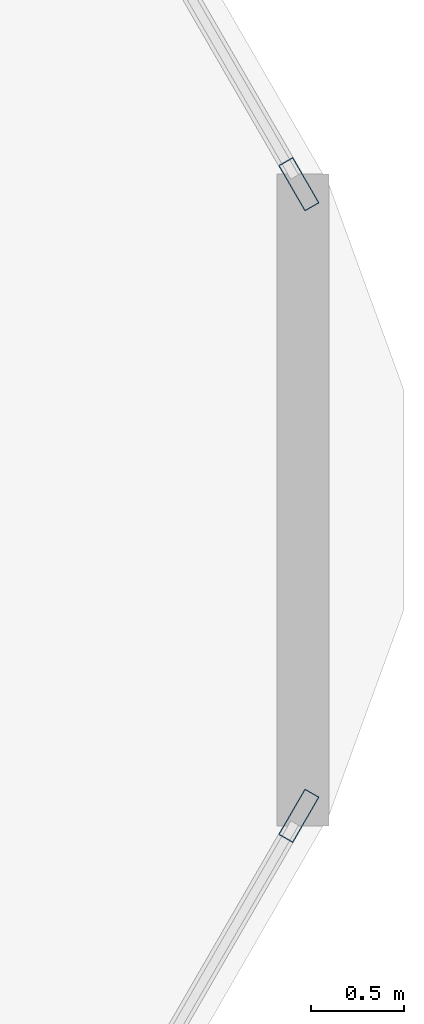
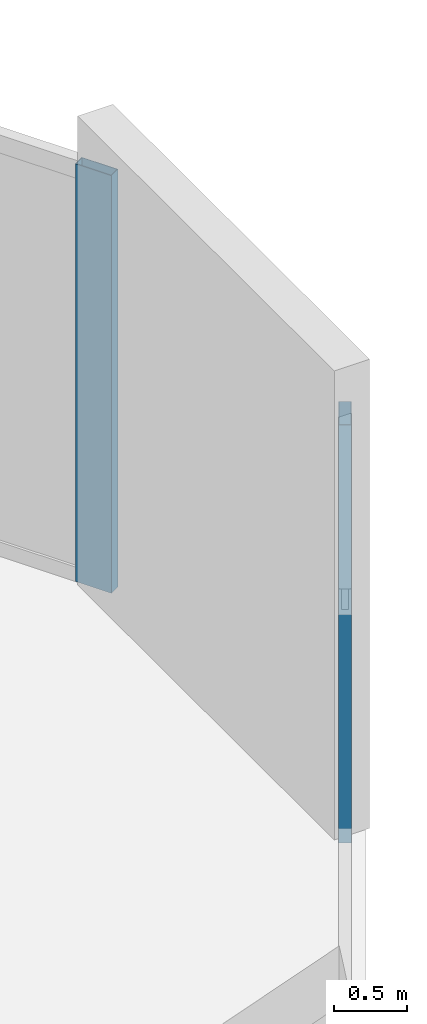
# One storey, part 20 of 25: 2 members, 2 elements without a shape of their own.
"""IFC4 building model written with IfcOpenShell, lengths in metres."""

from ifc_helpers import new_model, si_unit, direction, frame, origin, origin_2d, place, context, subcontext, project, spatial, hollow_rectangle, extrude, material, material_profile, profile_set, type_object, element, aggregate, save


model = new_model("IFC4")

# Units and contexts
model_context = context("Model", 3, precision=1e-05, world=origin(), true_north=direction((0.0, 1.0)))
body_context = subcontext(model_context, "Body", "Model", "MODEL_VIEW")
ifc_project = project(units=[si_unit("LENGTHUNIT", "METRE"), si_unit("AREAUNIT", "SQUARE_METRE"), si_unit("VOLUMEUNIT", "CUBIC_METRE"), si_unit("PLANEANGLEUNIT", "RADIAN"), si_unit("MASSUNIT", "GRAM", prefix="KILO")], contexts=[model_context])

# Site, building, storey
site_placement = place(None, origin())
site = spatial("IfcSite", under=ifc_project, at=site_placement, CompositionType="ELEMENT")
building_placement = place(site_placement, origin())
building = spatial("IfcBuilding", under=site, at=building_placement, Name="Zuhravey Tower", CompositionType="ELEMENT")
storey_placement = place(building_placement, frame((0.0, 0.0, 37.199951171875)))
storey = spatial("IfcBuildingStorey", under=building, at=storey_placement, Name="L09", CompositionType="ELEMENT", Elevation=37.199951171875)

# Curtain wall, member
ifc_material_1 = material(Name="Thermally broken anodised aluminium", Category="aluminium")
curtain_wall_type = type_object("IfcCurtainWallType", Name="School Low-E Unitised Curtain Wall CW1", PredefinedType="NOTDEFINED", material=ifc_material_1)
curtain_wall_1_placement = place(storey_placement, origin())
curtain_wall_1 = element("IfcCurtainWall", 1, at=curtain_wall_1_placement, inside=storey, type_object=curtain_wall_type, Name="L09 CW1 CW-L09-F6-1", PredefinedType="NOTDEFINED")
ifc_material_2 = material(Name="Anodised aluminium", Category="aluminium")
ifc_material_profile = material_profile(ifc_material_2, hollow_rectangle(XDim=0.090087890625, YDim=0.284912109375, WallThickness=0.0048828125, at=origin_2d()), Name="ALU-RHS-90x285x5")
ifc_profile_set = profile_set([ifc_material_profile], Name="Anodised aluminium")
member_type = type_object("IfcMemberType", Name="Curtain-Wall Mullion 90x180", PredefinedType="MULLION", material=ifc_profile_set)
member_1_placement = place(storey_placement, frame((68.4560546875, 30.298583984375, 0.0), z_axis=(0.0, 0.0, 1.0), x_axis=(0.86602552265, -0.499999794119, 0.0)))
member_1 = element("IfcMember", 2, at=member_1_placement, type_object=member_type, Name="CW1 mullion 1", PredefinedType="MULLION", context=body_context, shape_type="SweptSolid", body=[
    extrude(hollow_rectangle(XDim=0.090087890625, YDim=0.284912109375, WallThickness=0.0048828125, at=origin_2d()), origin(), (0.0, 0.0, 1.0), 3.491943359375),
])
aggregate(curtain_wall_1, [member_1])

curtain_wall_2_placement = place(storey_placement, origin())
curtain_wall_2 = element("IfcCurtainWall", 3, at=curtain_wall_2_placement, inside=storey, type_object=curtain_wall_type, Name="L09 CW1 CW-L09-F1-2", PredefinedType="NOTDEFINED")
member_2_placement = place(storey_placement, frame((68.4560546875, 33.701416015625, 0.0), z_axis=(0.0, 0.0, 1.0), x_axis=(0.866024593191, 0.500001403986, 0.0)))
member_2 = element("IfcMember", 4, at=member_2_placement, type_object=member_type, Name="CW1 mullion 2", PredefinedType="MULLION", context=body_context, shape_type="SweptSolid", body=[
    extrude(hollow_rectangle(XDim=0.090087890625, YDim=0.284912109375, WallThickness=0.0048828125, at=origin_2d()), origin(), (0.0, 0.0, 1.0), 3.491943359375),
])
aggregate(curtain_wall_2, [member_2])

save(model, "model.ifc")
